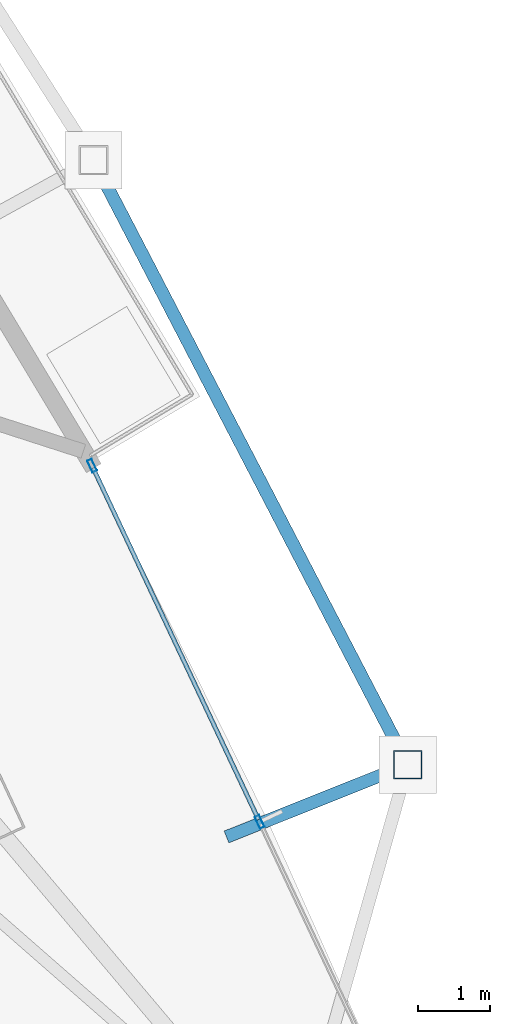
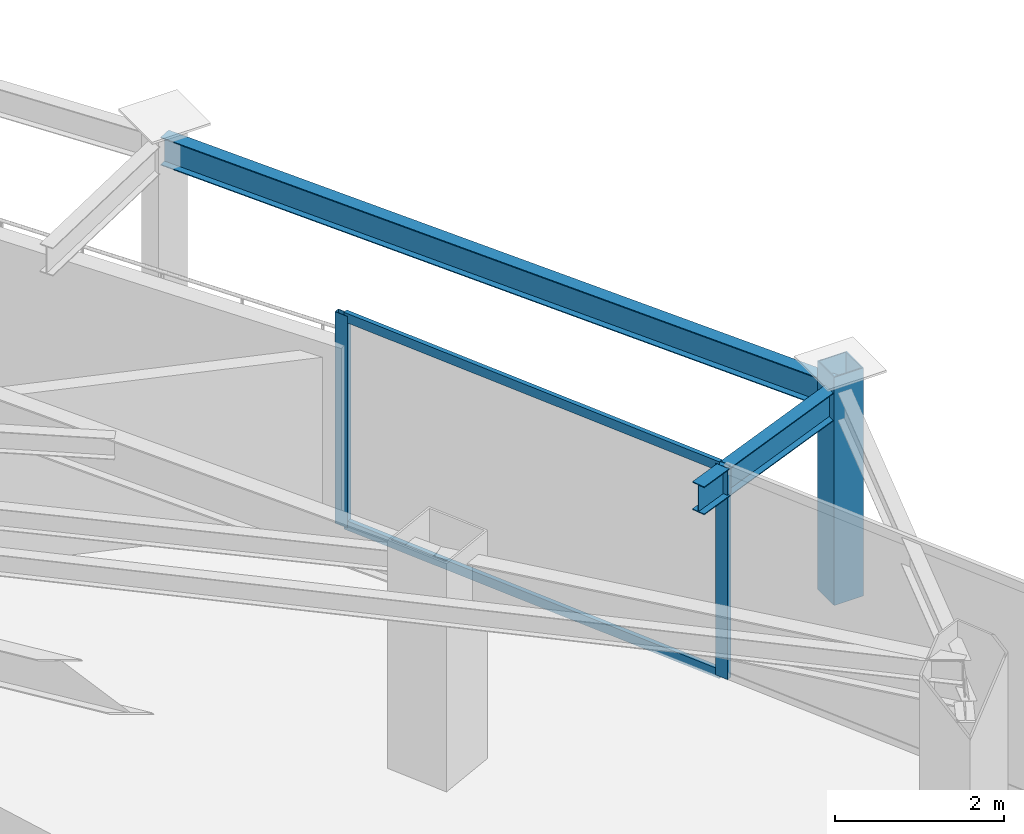
# One storey, part 18 of 31: 5 members, 2 beams, 1 element without a shape of its own.
"""IFC4 building model written with IfcOpenShell, lengths in metres."""

import ifcopenshell
import ifcopenshell.guid

model = None  # the IFC model being written
_history = None  # IfcOwnerHistory: only IFC2X3 demands one
_inside = {}  # id of a spatial element -> (the spatial element, [elements in it])
_under = {}  # id of a project, library or spatial element -> (it, [spatial elements below it])
_declared = {}  # id of a project -> (the project, [libraries it declares])
_typed = {}  # id of a type object -> (the type object, [elements of that type])
_made_of = {}  # id of a material, layer set ... -> (it, [elements and type objects made of it])


def new_model(schema):
    """Start an empty IFC model of exactly this schema.

    Asked for "IFC4X3", IfcOpenShell would pick the latest addendum, in which some entities
    have other attributes; the version numbers below select the first issue.
    IFC2X3 requires an IfcOwnerHistory on every rooted entity: one is made here for all.
    """
    global model, _history
    if schema == "IFC4X3":
        model = ifcopenshell.file(schema_version=(4, 3, 0, 0))
    else:
        model = ifcopenshell.file(schema=schema)
    _inside.clear()
    _under.clear()
    _declared.clear()
    _typed.clear()
    _made_of.clear()
    _history = None
    if model.schema == "IFC2X3":
        org = make("IfcOrganization", Name="unknown")
        user = make(
            "IfcPersonAndOrganization",
            ThePerson=make("IfcPerson", FamilyName="unknown"),
            TheOrganization=org,
        )
        app = make(
            "IfcApplication",
            ApplicationDeveloper=org,
            Version="unknown",
            ApplicationFullName="unknown",
            ApplicationIdentifier="unknown",
        )
        _history = make(
            "IfcOwnerHistory",
            OwningUser=user,
            OwningApplication=app,
            ChangeAction="ADDED",
            CreationDate=0,
        )
    return model


def make(cls, **values):
    """One entity of the class cls with the attributes given. An attribute that is None is left unset."""
    return model.create_entity(
        cls, **{name: value for name, value in values.items() if value is not None}
    )


def rooted(cls, **values):
    """An entity with a GlobalId (a new one), such as an element, a storey or a relation."""
    return make(cls, GlobalId=ifcopenshell.guid.new(), OwnerHistory=_history, **values)


def si_unit(unit_type, name, prefix=None):
    """IfcSIUnit, for example si_unit("LENGTHUNIT", "METRE", prefix="MILLI")."""
    return make("IfcSIUnit", UnitType=unit_type, Prefix=prefix, Name=name)


def assignment(units):
    """IfcUnitAssignment: the units of a project."""
    return None if units is None else make("IfcUnitAssignment", Units=units)


def point(xyz):
    """IfcCartesianPoint."""
    return None if xyz is None else make("IfcCartesianPoint", Coordinates=xyz)


def direction(xyz):
    """IfcDirection."""
    return None if xyz is None else make("IfcDirection", DirectionRatios=xyz)


def frame(location, z_axis=None, x_axis=None):
    """IfcAxis2Placement3D, a coordinate frame: its origin and axes. An axis left out is left unset."""
    return make(
        "IfcAxis2Placement3D",
        Location=point(location),
        Axis=direction(z_axis),
        RefDirection=direction(x_axis),
    )


def frame_2d(location, x_axis=None):
    """IfcAxis2Placement2D, a coordinate frame in the plane: its origin and x axis."""
    return make(
        "IfcAxis2Placement2D", Location=point(location), RefDirection=direction(x_axis)
    )


def origin():
    """The frame at (0, 0, 0) with its axes left unset."""
    return frame((0.0, 0.0, 0.0))


def origin_2d():
    """The frame at (0, 0) in the plane with its x axis left unset."""
    return frame_2d((0.0, 0.0))


def place(relative_to, where):
    """IfcLocalPlacement: puts the frame where relative to a parent placement (None: the world)."""
    return make(
        "IfcLocalPlacement", PlacementRelTo=relative_to, RelativePlacement=where
    )


def context(
    kind, dimensions, precision=None, world=None, true_north=None, identifier=None
):
    """IfcGeometricRepresentationContext, for example the 3D "Model" context."""
    return make(
        "IfcGeometricRepresentationContext",
        ContextIdentifier=identifier,
        ContextType=kind,
        CoordinateSpaceDimension=dimensions,
        Precision=precision,
        WorldCoordinateSystem=world,
        TrueNorth=true_north,
    )


def subcontext(parent, identifier, kind, view, scale=None):
    """IfcGeometricRepresentationSubContext, for example "Body" below "Model"."""
    return make(
        "IfcGeometricRepresentationSubContext",
        ContextIdentifier=identifier,
        ContextType=kind,
        ParentContext=parent,
        TargetScale=scale,
        TargetView=view,
    )


def project(units=None, contexts=None):
    """IfcProject with its units and contexts."""
    return rooted(
        "IfcProject",
        Name="project",
        RepresentationContexts=contexts,
        UnitsInContext=assignment(units),
    )


def spatial(cls, under=None, at=None, **own):
    """A site, building, storey or space (cls), placed at a placement, below another one or the project."""
    s = rooted(cls, ObjectPlacement=at, **own)
    if under is not None:
        _under.setdefault(under.id(), (under, []))[1].append(s)
    return s


def profile(cls, at=None, kind="AREA", **sizes):
    """A parametric profile (cls). Its sizes go by their IFC names, for example OverallWidth=200.0."""
    return make(cls, ProfileType=kind, Position=at, **sizes)


def hollow_rectangle(**sizes):
    """IfcRectangleHollowProfileDef."""
    return profile("IfcRectangleHollowProfileDef", **sizes)


def i_section(**sizes):
    """IfcIShapeProfileDef."""
    return profile("IfcIShapeProfileDef", **sizes)


def extrude(swept, where, along, depth):
    """IfcExtrudedAreaSolid: the profile swept, set in the frame where, extruded along a direction by depth."""
    return make(
        "IfcExtrudedAreaSolid",
        SweptArea=swept,
        Position=where,
        ExtrudedDirection=direction(along),
        Depth=depth,
    )


def shape(context_of_items, identifier, shape_type, items):
    """IfcShapeRepresentation: the items that make up one representation, for example the "Body"."""
    return make(
        "IfcShapeRepresentation",
        ContextOfItems=context_of_items,
        RepresentationIdentifier=identifier,
        RepresentationType=shape_type,
        Items=items,
    )


def material(Name=None, Category=None):
    """IfcMaterial."""
    return make("IfcMaterial", Name=Name, Category=Category)


def layer(
    of_material, thickness, ventilated=None, Name=None, Category=None, Priority=None
):
    """IfcMaterialLayer: one layer of a wall or slab, of a material (None: an air gap)."""
    return make(
        "IfcMaterialLayer",
        Material=of_material,
        LayerThickness=thickness,
        IsVentilated=ventilated,
        Name=Name,
        Category=Category,
        Priority=Priority,
    )


def layer_set(layers, Name=None):
    """IfcMaterialLayerSet."""
    return make("IfcMaterialLayerSet", MaterialLayers=layers, LayerSetName=Name)


def material_profile(
    of_material, cross_section, Name=None, Category=None, Priority=None
):
    """IfcMaterialProfile: a cross section and its material."""
    return make(
        "IfcMaterialProfile",
        Name=Name,
        Material=of_material,
        Profile=cross_section,
        Priority=Priority,
        Category=Category,
    )


def profile_set(profiles, Name=None, composite=None):
    """IfcMaterialProfileSet."""
    return make(
        "IfcMaterialProfileSet",
        Name=Name,
        MaterialProfiles=profiles,
        CompositeProfile=composite,
    )


def made_of(thing, what):
    """Note that an element or type object is made of a material, layer set ...; save() writes the relation."""
    if what is not None:
        _made_of.setdefault(what.id(), (what, []))[1].append(thing)
    return thing


def type_object(cls, material=None, **own):
    """A type object (cls), such as IfcWallType, which elements share."""
    return made_of(rooted(cls, **own), material)


def element(
    cls,
    number,
    at=None,
    inside=None,
    cuts=None,
    type_object=None,
    material=None,
    context=None,
    identifier="Body",
    shape_type=None,
    held_by="IfcProductDefinitionShape",
    body=None,
    shapes=None,
    **own,
):
    """One element of the class cls, such as IfcWall. Its Tag is "e" and its number.

    at: its placement. inside: the storey or other place that contains it. cuts: it is an
    opening in that element (IfcRelVoidsElement). A single representation is given by context,
    identifier, shape_type and body (its items); several are given by shapes. held_by: the class
    of the entity that holds the representations. save() writes the other relations.
    """
    e = rooted(cls, Tag="e%d" % number, ObjectPlacement=at, **own)
    if body is not None:
        shapes = [shape(context, identifier, shape_type, body)]
    if shapes is not None:
        e.Representation = make(held_by, Representations=shapes)
    if inside is not None:
        _inside.setdefault(inside.id(), (inside, []))[1].append(e)
    if cuts is not None:
        rooted(
            "IfcRelVoidsElement", RelatingBuildingElement=cuts, RelatedOpeningElement=e
        )
    if type_object is not None:
        _typed.setdefault(type_object.id(), (type_object, []))[1].append(e)
    return made_of(e, material)


def aggregate(whole, parts):
    """IfcRelAggregates: a whole, such as a stair, and the parts it consists of."""
    return rooted("IfcRelAggregates", RelatingObject=whole, RelatedObjects=parts)


def save(model, path):
    """Write the relations noted so far, then the file.

    IfcRelAggregates (storeys below a building ...), IfcRelContainedInSpatialStructure (elements
    in a storey), IfcRelDefinesByType, IfcRelAssociatesMaterial and IfcRelDeclares: one each for
    every whole, place, type object, material and project.
    """
    for whole, parts in _under.values():
        aggregate(whole, parts)
    for where, things in _inside.values():
        rooted(
            "IfcRelContainedInSpatialStructure",
            RelatedElements=things,
            RelatingStructure=where,
        )
    for kind, things in _typed.values():
        rooted("IfcRelDefinesByType", RelatedObjects=things, RelatingType=kind)
    for what, things in _made_of.values():
        rooted("IfcRelAssociatesMaterial", RelatedObjects=things, RelatingMaterial=what)
    for by, libraries in _declared.values():
        rooted("IfcRelDeclares", RelatingContext=by, RelatedDefinitions=libraries)
    model.write(path)


model = new_model("IFC4")

# Units and contexts
model_context = context("Model", 3, precision=1e-05, world=origin(), true_north=direction((0.0, 1.0)))
body_context = subcontext(model_context, "Body", "Model", "MODEL_VIEW")
ifc_project = project(units=[si_unit("LENGTHUNIT", "METRE"), si_unit("AREAUNIT", "SQUARE_METRE"), si_unit("VOLUMEUNIT", "CUBIC_METRE"), si_unit("PLANEANGLEUNIT", "RADIAN"), si_unit("MASSUNIT", "GRAM", prefix="KILO")], contexts=[model_context])

# Site, building, storey
site_placement = place(None, origin())
site = spatial("IfcSite", under=ifc_project, at=site_placement, CompositionType="ELEMENT")
building_placement = place(site_placement, origin())
building = spatial("IfcBuilding", under=site, at=building_placement, Name="Orvanel Arch Residences", CompositionType="ELEMENT")
storey_placement = place(building_placement, frame((0.0, 0.0, 157.25)))
storey = spatial("IfcBuildingStorey", under=building, at=storey_placement, Name="L44", CompositionType="ELEMENT", Elevation=157.25)

# Curtain wall, members
ifc_material_1 = material(Name="Bronze-anodised aluminium AA6063-T6", Category="aluminium")
ifc_layer = layer(ifc_material_1, 0.179931640625)
ifc_layer_set = layer_set([ifc_layer], Name="Bronze-anodised aluminium AA6063-T6")
curtain_wall_type = type_object("IfcCurtainWallType", Name="CW3-MID-SYS", PredefinedType="NOTDEFINED", material=ifc_layer_set)
curtain_wall_placement = place(storey_placement, origin())
curtain_wall = element("IfcCurtainWall", 1, at=curtain_wall_placement, inside=storey, type_object=curtain_wall_type, Name="L44 CW3-MID-SYS Unitised Curtain Wall", PredefinedType="NOTDEFINED")
ifc_material_profile_1 = material_profile(ifc_material_1, hollow_rectangle(XDim=0.070068359375, YDim=0.179931640625, WallThickness=0.00439453125, at=origin_2d()), Name="ALU180x70x4.5")
ifc_profile_set_1 = profile_set([ifc_material_profile_1], Name="Bronze-anodised aluminium AA6063-T6")
member_type_1 = type_object("IfcMemberType", Name="MUL-180x70", PredefinedType="MULLION", material=ifc_profile_set_1)
member_1_placement = place(storey_placement, frame((53.464111328125, 19.514404296875, 0.0), z_axis=(0.0, 0.0, 1.0), x_axis=(-0.90490897961, -0.425605144026, 0.0)))
member_1 = element("IfcMember", 2, at=member_1_placement, type_object=member_type_1, Name="CW-S3 mullion 2", PredefinedType="MULLION", context=body_context, shape_type="SweptSolid", body=[
    extrude(hollow_rectangle(XDim=0.070068359375, YDim=0.179931640625, WallThickness=0.00439453125, at=origin_2d()), origin(), (0.0, 0.0, 1.0), 3.06005859375),
])
member_2_placement = place(storey_placement, frame((51.12890625, 24.479248046875, 0.0), z_axis=(0.0, 0.0, 1.0), x_axis=(-0.90490897961, -0.425605144026, 0.0)))
member_2 = element("IfcMember", 3, at=member_2_placement, type_object=member_type_1, Name="CW-S3 mullion 3", PredefinedType="MULLION", context=body_context, shape_type="SweptSolid", body=[
    extrude(hollow_rectangle(XDim=0.070068359375, YDim=0.179931640625, WallThickness=0.00439453125, at=origin_2d()), origin(), (0.0, 0.0, 1.0), 3.06005859375),
])

# Beams
ifc_material_2 = material(Name="Structural steel AS/NZS 3679.1 Grade 300 (300 MPa)", Category="steel")
ifc_material_profile_2 = material_profile(ifc_material_2, i_section(OverallWidth=0.177978515625, OverallDepth=0.406005859375, WebThickness=0.0078125, FlangeThickness=0.0126953125, at=origin_2d()), Name="410UB59.7")
ifc_profile_set_2 = profile_set([ifc_material_profile_2], Name="Structural steel AS/NZS 3679.1 Grade 300 (300 MPa)")
beam_type = type_object("IfcBeamType", Name="OB-410UB-EXT", PredefinedType="SPANDREL", material=ifc_profile_set_2)
beam_1_placement = place(storey_placement, frame((53.0029296875, 19.304931640625, 2.85693359375), z_axis=(0.92873037174, 0.370755845008, 0.0), x_axis=(-0.370755845008, 0.92873037174, 0.0)))
element("IfcBeam", 4, at=beam_1_placement, inside=storey, type_object=beam_type, Name="L44 Outer Frame Radial Tie Beam 09", PredefinedType="SPANDREL", context=body_context, shape_type="SweptSolid", body=[
    extrude(i_section(OverallWidth=0.177978515625, OverallDepth=0.406005859375, WebThickness=0.0078125, FlangeThickness=0.0126953125, at=origin_2d()), origin(), (0.0, 0.0, 1.0), 2.718994140625),
])
beam_2_placement = place(storey_placement, frame((55.528076171875, 20.31298828125, 2.85693359375), z_axis=(-0.461197291391, 0.887297615467, 0.0), x_axis=(-0.887297615467, -0.461197291391, 0.0)))
element("IfcBeam", 5, at=beam_2_placement, inside=storey, type_object=beam_type, Name="L44 Outer Perimeter Floor Ring Beam 09", PredefinedType="SPANDREL", context=body_context, shape_type="SweptSolid", body=[
    extrude(i_section(OverallWidth=0.177978515625, OverallDepth=0.406005859375, WebThickness=0.0078125, FlangeThickness=0.0126953125, at=origin_2d()), origin(), (0.0, 0.0, 1.0), 9.4951171875),
])

# Member
ifc_material_3 = material(Name="Structural steel AS/NZS 1163 C450L0 (Grade 450)", Category="steel")
ifc_material_profile_3 = material_profile(ifc_material_3, hollow_rectangle(XDim=0.39990234375, YDim=0.39990234375, WallThickness=0.01611328125, at=origin_2d()), Name="SHS400x400x16")
ifc_profile_set_3 = profile_set([ifc_material_profile_3], Name="Structural steel AS/NZS 1163 C450L0 (Grade 450)")
member_type_2 = type_object("IfcMemberType", Name="ST-400SHS-EXT", PredefinedType="STRUT", material=ifc_profile_set_3)
member_3_placement = place(storey_placement, frame((55.528076171875, 20.31298828125, 0.0), z_axis=(0.0, 0.0, 1.0), x_axis=(1.0, 0.0, 0.0)))
element("IfcMember", 6, at=member_3_placement, inside=storey, type_object=member_type_2, Name="L44 Outer Perimeter Frame Post 09", PredefinedType="STRUT", context=body_context, shape_type="SweptSolid", body=[
    extrude(hollow_rectangle(XDim=0.39990234375, YDim=0.39990234375, WallThickness=0.01611328125, at=origin_2d()), origin(), (0.0, 0.0, 1.0), 3.300048828125),
])

ifc_material_profile_4 = material_profile(ifc_material_1, hollow_rectangle(XDim=0.06005859375, YDim=0.135009765625, WallThickness=0.00390625, at=origin_2d()), Name="ALU135x60x4")
ifc_profile_set_4 = profile_set([ifc_material_profile_4], Name="Bronze-anodised aluminium AA6063-T6")
member_type_3 = type_object("IfcMemberType", Name="TRN-135x60", PredefinedType="USERDEFINED", material=ifc_profile_set_4)
member_4_placement = place(storey_placement, frame((53.44921875, 19.546142578125, 0.030029296875), z_axis=(-0.425612526975, 0.904905507156, 0.0), x_axis=(-0.904905507156, -0.425612526975, 0.0)))
member_4 = element("IfcMember", 7, at=member_4_placement, type_object=member_type_3, Name="CW-S3 transom 2.1", ObjectType="TRANSOM", PredefinedType="USERDEFINED", context=body_context, shape_type="SweptSolid", body=[
    extrude(hollow_rectangle(XDim=0.06005859375, YDim=0.135009765625, WallThickness=0.00390625, at=origin_2d()), origin(), (0.0, 0.0, 1.0), 5.416748046875),
])

member_5_placement = place(storey_placement, frame((53.44921875, 19.546142578125, 3.030029296875), z_axis=(-0.425612526975, 0.904905507156, 0.0), x_axis=(-0.904905507156, -0.425612526975, 0.0)))
member_5 = element("IfcMember", 8, at=member_5_placement, type_object=member_type_3, Name="CW-S3 transom 2.2", ObjectType="TRANSOM", PredefinedType="USERDEFINED", context=body_context, shape_type="SweptSolid", body=[
    extrude(hollow_rectangle(XDim=0.06005859375, YDim=0.135009765625, WallThickness=0.00390625, at=origin_2d()), origin(), (0.0, 0.0, 1.0), 5.416748046875),
])

aggregate(curtain_wall, [member_1, member_2, member_4, member_5])

save(model, "model.ifc")
